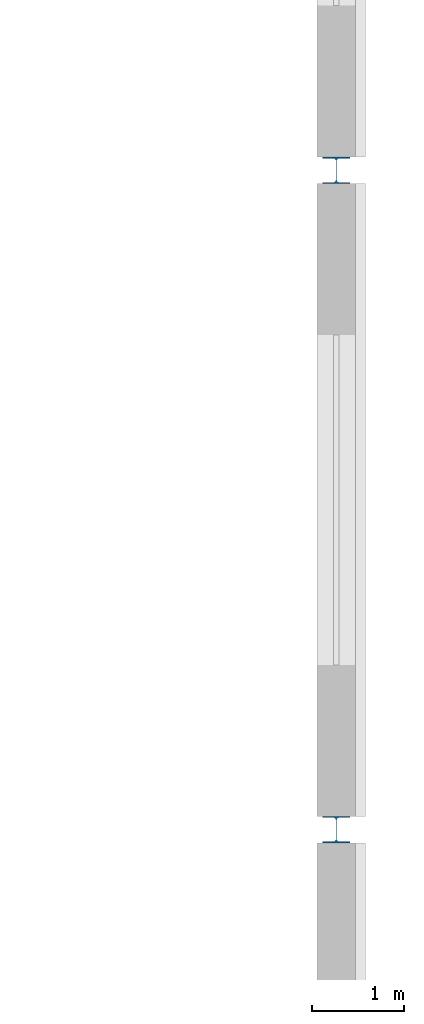
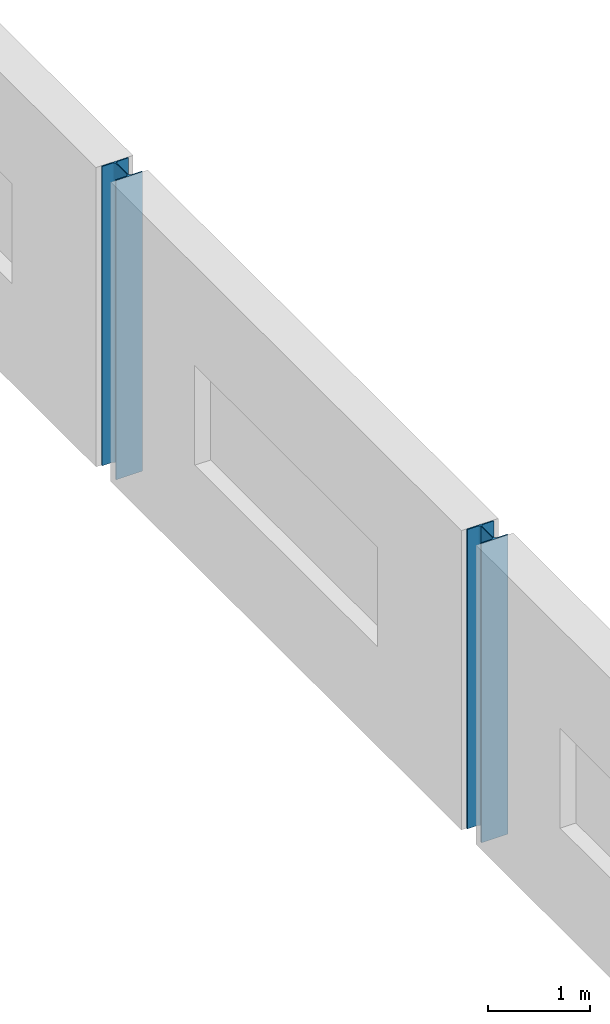
# One storey, part 17 of 142: 2 columns.
"""IFC4 building model written with IfcOpenShell, lengths in metres."""

import ifcopenshell
import ifcopenshell.guid

model = None  # the IFC model being written
_history = None  # IfcOwnerHistory: only IFC2X3 demands one
_inside = {}  # id of a spatial element -> (the spatial element, [elements in it])
_under = {}  # id of a project, library or spatial element -> (it, [spatial elements below it])
_declared = {}  # id of a project -> (the project, [libraries it declares])
_typed = {}  # id of a type object -> (the type object, [elements of that type])
_made_of = {}  # id of a material, layer set ... -> (it, [elements and type objects made of it])


def new_model(schema):
    """Start an empty IFC model of exactly this schema.

    Asked for "IFC4X3", IfcOpenShell would pick the latest addendum, in which some entities
    have other attributes; the version numbers below select the first issue.
    IFC2X3 requires an IfcOwnerHistory on every rooted entity: one is made here for all.
    """
    global model, _history
    if schema == "IFC4X3":
        model = ifcopenshell.file(schema_version=(4, 3, 0, 0))
    else:
        model = ifcopenshell.file(schema=schema)
    _inside.clear()
    _under.clear()
    _declared.clear()
    _typed.clear()
    _made_of.clear()
    _history = None
    if model.schema == "IFC2X3":
        org = make("IfcOrganization", Name="unknown")
        user = make(
            "IfcPersonAndOrganization",
            ThePerson=make("IfcPerson", FamilyName="unknown"),
            TheOrganization=org,
        )
        app = make(
            "IfcApplication",
            ApplicationDeveloper=org,
            Version="unknown",
            ApplicationFullName="unknown",
            ApplicationIdentifier="unknown",
        )
        _history = make(
            "IfcOwnerHistory",
            OwningUser=user,
            OwningApplication=app,
            ChangeAction="ADDED",
            CreationDate=0,
        )
    return model


def make(cls, **values):
    """One entity of the class cls with the attributes given. An attribute that is None is left unset."""
    return model.create_entity(
        cls, **{name: value for name, value in values.items() if value is not None}
    )


def rooted(cls, **values):
    """An entity with a GlobalId (a new one), such as an element, a storey or a relation."""
    return make(cls, GlobalId=ifcopenshell.guid.new(), OwnerHistory=_history, **values)


def si_unit(unit_type, name, prefix=None):
    """IfcSIUnit, for example si_unit("LENGTHUNIT", "METRE", prefix="MILLI")."""
    return make("IfcSIUnit", UnitType=unit_type, Prefix=prefix, Name=name)


def assignment(units):
    """IfcUnitAssignment: the units of a project."""
    return None if units is None else make("IfcUnitAssignment", Units=units)


def point(xyz):
    """IfcCartesianPoint."""
    return None if xyz is None else make("IfcCartesianPoint", Coordinates=xyz)


def direction(xyz):
    """IfcDirection."""
    return None if xyz is None else make("IfcDirection", DirectionRatios=xyz)


def frame(location, z_axis=None, x_axis=None):
    """IfcAxis2Placement3D, a coordinate frame: its origin and axes. An axis left out is left unset."""
    return make(
        "IfcAxis2Placement3D",
        Location=point(location),
        Axis=direction(z_axis),
        RefDirection=direction(x_axis),
    )


def frame_2d(location, x_axis=None):
    """IfcAxis2Placement2D, a coordinate frame in the plane: its origin and x axis."""
    return make(
        "IfcAxis2Placement2D", Location=point(location), RefDirection=direction(x_axis)
    )


def origin():
    """The frame at (0, 0, 0) with its axes left unset."""
    return frame((0.0, 0.0, 0.0))


def origin_2d():
    """The frame at (0, 0) in the plane with its x axis left unset."""
    return frame_2d((0.0, 0.0))


def place(relative_to, where):
    """IfcLocalPlacement: puts the frame where relative to a parent placement (None: the world)."""
    return make(
        "IfcLocalPlacement", PlacementRelTo=relative_to, RelativePlacement=where
    )


def context(
    kind, dimensions, precision=None, world=None, true_north=None, identifier=None
):
    """IfcGeometricRepresentationContext, for example the 3D "Model" context."""
    return make(
        "IfcGeometricRepresentationContext",
        ContextIdentifier=identifier,
        ContextType=kind,
        CoordinateSpaceDimension=dimensions,
        Precision=precision,
        WorldCoordinateSystem=world,
        TrueNorth=true_north,
    )


def subcontext(parent, identifier, kind, view, scale=None):
    """IfcGeometricRepresentationSubContext, for example "Body" below "Model"."""
    return make(
        "IfcGeometricRepresentationSubContext",
        ContextIdentifier=identifier,
        ContextType=kind,
        ParentContext=parent,
        TargetScale=scale,
        TargetView=view,
    )


def project(units=None, contexts=None):
    """IfcProject with its units and contexts."""
    return rooted(
        "IfcProject",
        Name="project",
        RepresentationContexts=contexts,
        UnitsInContext=assignment(units),
    )


def spatial(cls, under=None, at=None, **own):
    """A site, building, storey or space (cls), placed at a placement, below another one or the project."""
    s = rooted(cls, ObjectPlacement=at, **own)
    if under is not None:
        _under.setdefault(under.id(), (under, []))[1].append(s)
    return s


def profile(cls, at=None, kind="AREA", **sizes):
    """A parametric profile (cls). Its sizes go by their IFC names, for example OverallWidth=200.0."""
    return make(cls, ProfileType=kind, Position=at, **sizes)


def i_section(**sizes):
    """IfcIShapeProfileDef."""
    return profile("IfcIShapeProfileDef", **sizes)


def extrude(swept, where, along, depth):
    """IfcExtrudedAreaSolid: the profile swept, set in the frame where, extruded along a direction by depth."""
    return make(
        "IfcExtrudedAreaSolid",
        SweptArea=swept,
        Position=where,
        ExtrudedDirection=direction(along),
        Depth=depth,
    )


def shape(context_of_items, identifier, shape_type, items):
    """IfcShapeRepresentation: the items that make up one representation, for example the "Body"."""
    return make(
        "IfcShapeRepresentation",
        ContextOfItems=context_of_items,
        RepresentationIdentifier=identifier,
        RepresentationType=shape_type,
        Items=items,
    )


def material(Name=None, Category=None):
    """IfcMaterial."""
    return make("IfcMaterial", Name=Name, Category=Category)


def material_profile(
    of_material, cross_section, Name=None, Category=None, Priority=None
):
    """IfcMaterialProfile: a cross section and its material."""
    return make(
        "IfcMaterialProfile",
        Name=Name,
        Material=of_material,
        Profile=cross_section,
        Priority=Priority,
        Category=Category,
    )


def profile_set(profiles, Name=None, composite=None):
    """IfcMaterialProfileSet."""
    return make(
        "IfcMaterialProfileSet",
        Name=Name,
        MaterialProfiles=profiles,
        CompositeProfile=composite,
    )


def made_of(thing, what):
    """Note that an element or type object is made of a material, layer set ...; save() writes the relation."""
    if what is not None:
        _made_of.setdefault(what.id(), (what, []))[1].append(thing)
    return thing


def type_object(cls, material=None, **own):
    """A type object (cls), such as IfcWallType, which elements share."""
    return made_of(rooted(cls, **own), material)


def element(
    cls,
    number,
    at=None,
    inside=None,
    cuts=None,
    type_object=None,
    material=None,
    context=None,
    identifier="Body",
    shape_type=None,
    held_by="IfcProductDefinitionShape",
    body=None,
    shapes=None,
    **own,
):
    """One element of the class cls, such as IfcWall. Its Tag is "e" and its number.

    at: its placement. inside: the storey or other place that contains it. cuts: it is an
    opening in that element (IfcRelVoidsElement). A single representation is given by context,
    identifier, shape_type and body (its items); several are given by shapes. held_by: the class
    of the entity that holds the representations. save() writes the other relations.
    """
    e = rooted(cls, Tag="e%d" % number, ObjectPlacement=at, **own)
    if body is not None:
        shapes = [shape(context, identifier, shape_type, body)]
    if shapes is not None:
        e.Representation = make(held_by, Representations=shapes)
    if inside is not None:
        _inside.setdefault(inside.id(), (inside, []))[1].append(e)
    if cuts is not None:
        rooted(
            "IfcRelVoidsElement", RelatingBuildingElement=cuts, RelatedOpeningElement=e
        )
    if type_object is not None:
        _typed.setdefault(type_object.id(), (type_object, []))[1].append(e)
    return made_of(e, material)


def aggregate(whole, parts):
    """IfcRelAggregates: a whole, such as a stair, and the parts it consists of."""
    return rooted("IfcRelAggregates", RelatingObject=whole, RelatedObjects=parts)


def save(model, path):
    """Write the relations noted so far, then the file.

    IfcRelAggregates (storeys below a building ...), IfcRelContainedInSpatialStructure (elements
    in a storey), IfcRelDefinesByType, IfcRelAssociatesMaterial and IfcRelDeclares: one each for
    every whole, place, type object, material and project.
    """
    for whole, parts in _under.values():
        aggregate(whole, parts)
    for where, things in _inside.values():
        rooted(
            "IfcRelContainedInSpatialStructure",
            RelatedElements=things,
            RelatingStructure=where,
        )
    for kind, things in _typed.values():
        rooted("IfcRelDefinesByType", RelatedObjects=things, RelatingType=kind)
    for what, things in _made_of.values():
        rooted("IfcRelAssociatesMaterial", RelatedObjects=things, RelatingMaterial=what)
    for by, libraries in _declared.values():
        rooted("IfcRelDeclares", RelatingContext=by, RelatedDefinitions=libraries)
    model.write(path)


model = new_model("IFC4")

# Units and contexts
model_context = context("Model", 3, precision=1e-05, world=origin(), true_north=direction((0.0, 1.0)))
body_context = subcontext(model_context, "Body", "Model", "MODEL_VIEW")
ifc_project = project(units=[si_unit("LENGTHUNIT", "METRE"), si_unit("AREAUNIT", "SQUARE_METRE"), si_unit("VOLUMEUNIT", "CUBIC_METRE"), si_unit("PLANEANGLEUNIT", "RADIAN"), si_unit("MASSUNIT", "GRAM", prefix="KILO")], contexts=[model_context])

# Site, building, storey
site_placement = place(None, origin())
site = spatial("IfcSite", under=ifc_project, at=site_placement, CompositionType="ELEMENT")
building_placement = place(site_placement, origin())
building = spatial("IfcBuilding", under=site, at=building_placement, Name="Kupolbacken Congress Centre", CompositionType="ELEMENT")
storey_placement = place(building_placement, frame((0.0, 0.0, 14.39990234375)))
storey = spatial("IfcBuildingStorey", under=building, at=storey_placement, Name="L04", CompositionType="ELEMENT", Elevation=14.39990234375)

# Columns
ifc_material = material(Name="Steel S355", Category="steel")
ifc_material_profile = material_profile(ifc_material, i_section(OverallWidth=0.300048828125, OverallDepth=0.2900390625, WebThickness=0.008544921875, FlangeThickness=0.013916015625, FilletRadius=0.027099609375, at=origin_2d()), Name="HEA 300")
ifc_profile_set = profile_set([ifc_material_profile], Name="Steel S355")
column_type = type_object("IfcColumnType", Name="C09 column HEA 300", PredefinedType="COLUMN", material=ifc_profile_set)
for number, where, z_axis, x_axis, name in (
    (1, (201.60009765625, 79.199951171875, 0.0), (0.0, 0.0, 1.0), (1.0, 0.0, 0.0), "S/col/C-H-PE06/L04"),
    (2, (201.60009765625, 86.39990234375, 0.0), (0.0, 0.0, 1.0), (1.0, 0.0, 0.0), "S/col/C-H-PE07/L04"),
):
    element("IfcColumn", number, at=place(storey_placement, frame(where, z_axis=z_axis, x_axis=x_axis)), inside=storey, type_object=column_type, Name=name, PredefinedType="COLUMN", context=body_context, shape_type="SweptSolid", body=[
        extrude(i_section(OverallWidth=0.300048828125, OverallDepth=0.2900390625, WebThickness=0.008544921875, FlangeThickness=0.013916015625, FilletRadius=0.027099609375, at=origin_2d()), origin(), (0.0, 0.0, 1.0), 3.60009765625),
    ])

save(model, "model.ifc")
